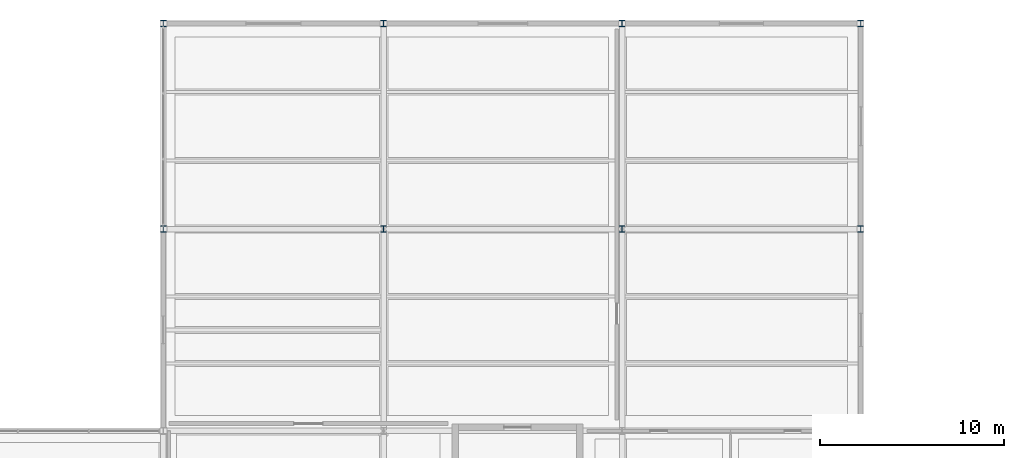
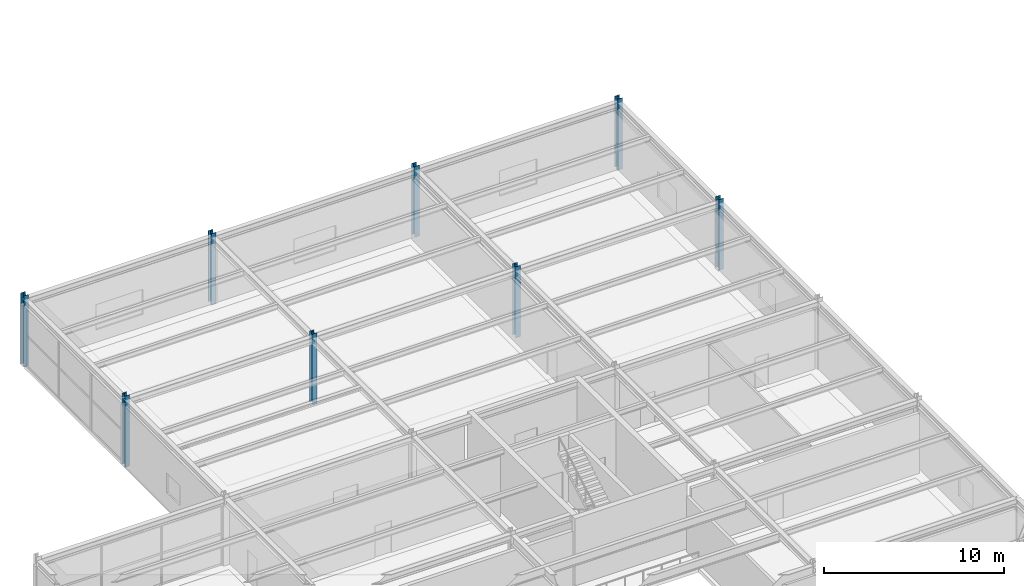
# One storey, part 10 of 100: 8 columns.
"""IFC4 building model written with IfcOpenShell, lengths in metres."""

from ifc_helpers import new_model, si_unit, direction, frame, origin, origin_2d, place, context, subcontext, project, spatial, i_section, extrude, material, material_profile, profile_set, type_object, element, save


model = new_model("IFC4")

# Units and contexts
model_context = context("Model", 3, precision=1e-05, world=origin(), true_north=direction((0.0, 1.0)))
body_context = subcontext(model_context, "Body", "Model", "MODEL_VIEW")
ifc_project = project(units=[si_unit("LENGTHUNIT", "METRE"), si_unit("AREAUNIT", "SQUARE_METRE"), si_unit("VOLUMEUNIT", "CUBIC_METRE"), si_unit("PLANEANGLEUNIT", "RADIAN"), si_unit("MASSUNIT", "GRAM", prefix="KILO")], contexts=[model_context])

# Site, building, storey
site_placement = place(None, origin())
site = spatial("IfcSite", under=ifc_project, at=site_placement, CompositionType="ELEMENT")
building_placement = place(site_placement, origin())
building = spatial("IfcBuilding", under=site, at=building_placement, Name="Tarnveldt Headland Concert Hall", CompositionType="ELEMENT")
storey_placement = place(building_placement, frame((0.0, 0.0, 4.800048828125)))
storey = spatial("IfcBuildingStorey", under=building, at=storey_placement, Name="L01", CompositionType="ELEMENT", Elevation=4.800048828125)

# Columns
ifc_material = material(Name="Steel S355", Category="steel")
ifc_material_profile = material_profile(ifc_material, i_section(OverallWidth=0.300048828125, OverallDepth=0.360107421875, WebThickness=0.012451171875, FlangeThickness=0.0224609375, FilletRadius=0.027099609375, at=origin_2d()), Name="HEB360", Category="steel")
ifc_profile_set = profile_set([ifc_material_profile], Name="Steel S355")
column_type = type_object("IfcColumnType", Name="SC-HEB360", PredefinedType="COLUMN", material=ifc_profile_set)
for number, where, z_axis, x_axis, name in (
    (1, (19.5, 104.0, 0.0), (0.0, 0.0, 1.0), (1.0, 0.0, 0.0), "Column V5C09 L01"),
    (2, (19.5, 115.199951171875, 0.0), (0.0, 0.0, 1.0), (1.0, 0.0, 0.0), "Column V5C10 L01"),
    (3, (31.5, 104.0, 0.0), (0.0, 0.0, 1.0), (1.0, 0.0, 0.0), "Column V5C14 L01"),
    (4, (31.5, 115.199951171875, 0.0), (0.0, 0.0, 1.0), (1.0, 0.0, 0.0), "Column V5C15 L01"),
    (5, (44.5, 104.0, 0.0), (0.0, 0.0, 1.0), (1.0, 0.0, 0.0), "Column V5C20 L01"),
    (6, (44.5, 115.199951171875, 0.0), (0.0, 0.0, 1.0), (1.0, 0.0, 0.0), "Column V5C21 L01"),
    (7, (57.5, 104.0, 0.0), (0.0, 0.0, 1.0), (1.0, 0.0, 0.0), "Column V5C24 L01"),
    (8, (57.5, 115.199951171875, 0.0), (0.0, 0.0, 1.0), (1.0, 0.0, 0.0), "Column V5C25 L01"),
):
    element("IfcColumn", number, at=place(storey_placement, frame(where, z_axis=z_axis, x_axis=x_axis)), inside=storey, type_object=column_type, Name=name, PredefinedType="COLUMN", context=body_context, shape_type="SweptSolid", body=[
        extrude(i_section(OverallWidth=0.300048828125, OverallDepth=0.360107421875, WebThickness=0.012451171875, FlangeThickness=0.0224609375, FilletRadius=0.027099609375, at=origin_2d()), origin(), (0.0, 0.0, 1.0), 4.800048828125),
    ])

save(model, "model.ifc")
